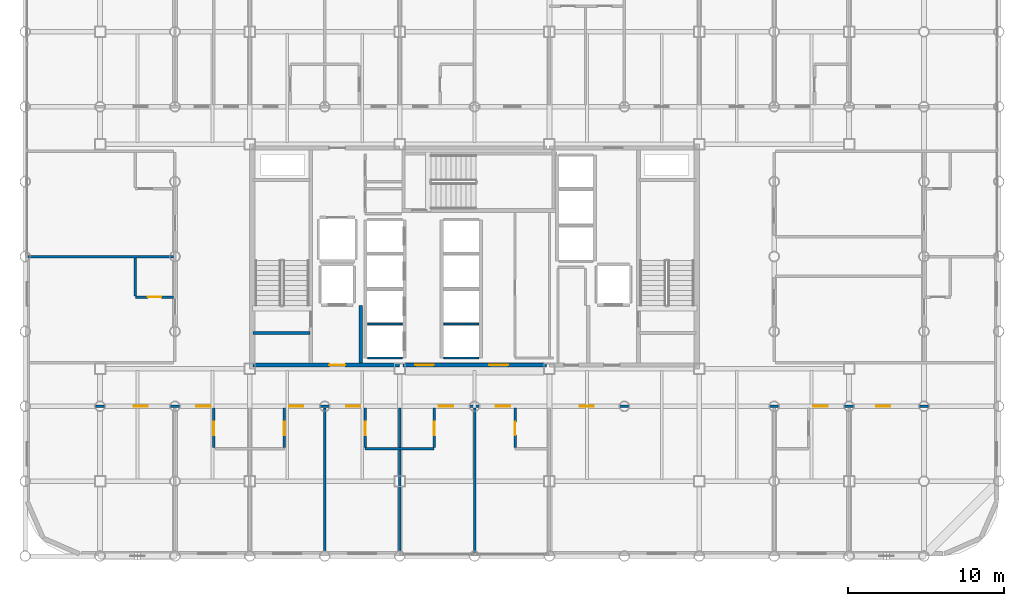
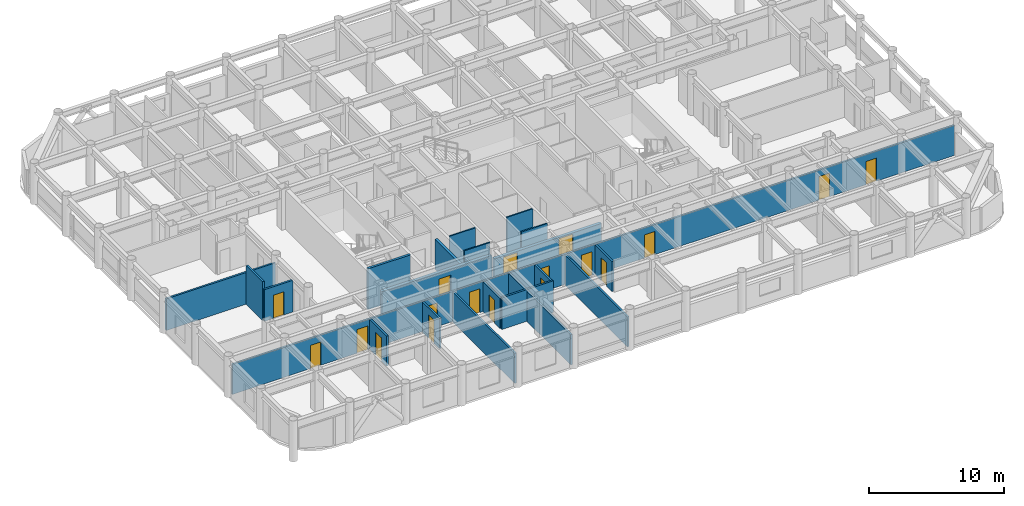
# One storey, part 17 of 22: 21 walls, 18 doors, 18 openings.
"""IFC4 building model written with IfcOpenShell, lengths in metres."""

from ifc_helpers import new_model, si_unit, direction, frame, frame_2d, origin, place, context, subcontext, project, spatial, rectangle, extrude, material, layer, layer_set, type_object, element, fill, save


model = new_model("IFC4")

# Units and contexts
model_context = context("Model", 3, precision=1e-05, world=origin(), true_north=direction((0.0, 1.0)))
body_context = subcontext(model_context, "Body", "Model", "MODEL_VIEW")
ifc_project = project(units=[si_unit("LENGTHUNIT", "METRE"), si_unit("AREAUNIT", "SQUARE_METRE"), si_unit("VOLUMEUNIT", "CUBIC_METRE"), si_unit("PLANEANGLEUNIT", "RADIAN"), si_unit("MASSUNIT", "GRAM", prefix="KILO")], contexts=[model_context])

# Site, building, storey
site_placement = place(None, origin())
site = spatial("IfcSite", under=ifc_project, at=site_placement, CompositionType="ELEMENT")
building_placement = place(site_placement, origin())
building = spatial("IfcBuilding", under=site, at=building_placement, Name="Kallvorn Hotel Tower", CompositionType="ELEMENT")
storey_placement = place(building_placement, frame((0.0, 0.0, 110.0)))
storey = spatial("IfcBuildingStorey", under=building, at=storey_placement, Name="L26", CompositionType="ELEMENT", Elevation=110.0)

# Wall
ifc_material_1 = material(Name="Fire-rated double-layer acoustic gypsum drywall EI 60")
ifc_layer_1 = layer(ifc_material_1, 0.159912109375)
ifc_layer_set_1 = layer_set([ifc_layer_1], Name="WL_DEMISE_160")
wall_type_1 = type_object("IfcWallType", Name="WL_DEMISE_160", PredefinedType="PARTITIONING", material=ifc_layer_set_1)
wall_1_placement = place(storey_placement, frame((-7.010009765625, -12.320068359375, 0.0), z_axis=(0.0, 0.0, 1.0), x_axis=(1.0, 0.0, 0.0)))
element("IfcWall", 1, at=wall_1_placement, inside=storey, type_object=wall_type_1, Name="L26 Suite 2607 Superior Twin Room Partition", PredefinedType="PARTITIONING", context=body_context, shape_type="SweptSolid", body=[
    extrude(rectangle(XDim=4.419921875, YDim=0.159912109375, at=frame_2d((2.2099609375, 0.0))), origin(), (0.0, 0.0, 1.0), 2.8701171875),
])

# Wall, openings, doors
wall_2_placement = place(storey_placement, frame((-28.510009765625, -9.60009765625, 0.0), z_axis=(0.0, 0.0, 1.0), x_axis=(1.0, 0.0, 0.0)))
wall_2 = element("IfcWall", 2, at=wall_2_placement, inside=storey, type_object=wall_type_1, Name="L26 Suite 2605 Superior Twin Room Partition", PredefinedType="PARTITIONING", context=body_context, shape_type="SweptSolid", body=[
    extrude(rectangle(XDim=61.820068359375, YDim=0.159912109375, at=frame_2d((30.91015625, 0.0))), origin(), (0.0, 0.0, 1.0), 2.719970703125),
])
opening_1_placement = place(wall_2_placement, frame((6.679443359375, 0.0, 0.0)))
opening_1 = element("IfcOpeningElement", 3, at=opening_1_placement, cuts=wall_2, Name="Opening SVD1", PredefinedType="OPENING", context=body_context, shape_type="SweptSolid", body=[
    extrude(rectangle(XDim=0.89990234375, YDim=2.10009765625, at=frame_2d((0.449951171875, 1.050048828125))), frame((0.0, 0.094970703125, 0.0), z_axis=(0.0, -1.0, 0.0), x_axis=(1.0, 0.0, 0.0)), (0.0, 0.0, 1.0), 0.18994140625),
])
opening_2_placement = place(wall_2_placement, frame((54.240478515625, 0.0, 0.0)))
opening_2 = element("IfcOpeningElement", 4, at=opening_2_placement, cuts=wall_2, Name="Opening SVD1", PredefinedType="OPENING", context=body_context, shape_type="SweptSolid", body=[
    extrude(rectangle(XDim=0.89990234375, YDim=2.10009765625, at=frame_2d((0.449951171875, 1.050048828125))), frame((0.0, 0.094970703125, 0.0), z_axis=(0.0, -1.0, 0.0), x_axis=(1.0, 0.0, 0.0)), (0.0, 0.0, 1.0), 0.18994140625),
])
opening_3_placement = place(wall_2_placement, frame((10.679931640625, 0.0, 0.0)))
opening_3 = element("IfcOpeningElement", 5, at=opening_3_placement, cuts=wall_2, Name="Opening GD1", PredefinedType="OPENING", context=body_context, shape_type="SweptSolid", body=[
    extrude(rectangle(XDim=0.919921875, YDim=2.14990234375, at=frame_2d((0.4599609375, 1.074951171875))), frame((0.0, 0.094970703125, 0.0), z_axis=(0.0, -1.0, 0.0), x_axis=(1.0, 0.0, 0.0)), (0.0, 0.0, 1.0), 0.18994140625),
])
opening_4_placement = place(wall_2_placement, frame((16.6201171875, 0.0, 0.0)))
opening_4 = element("IfcOpeningElement", 6, at=opening_4_placement, cuts=wall_2, Name="Opening GD1", PredefinedType="OPENING", context=body_context, shape_type="SweptSolid", body=[
    extrude(rectangle(XDim=0.919921875, YDim=2.14990234375, at=frame_2d((0.4599609375, 1.074951171875))), frame((0.0, 0.094970703125, 0.0), z_axis=(0.0, -1.0, 0.0), x_axis=(1.0, 0.0, 0.0)), (0.0, 0.0, 1.0), 0.18994140625),
])
opening_5_placement = place(wall_2_placement, frame((20.280029296875, 0.0, 0.0)))
opening_5 = element("IfcOpeningElement", 7, at=opening_5_placement, cuts=wall_2, Name="Opening GD1", PredefinedType="OPENING", context=body_context, shape_type="SweptSolid", body=[
    extrude(rectangle(XDim=0.919921875, YDim=2.14990234375, at=frame_2d((0.4599609375, 1.074951171875))), frame((0.0, 0.094970703125, 0.0), z_axis=(0.0, -1.0, 0.0), x_axis=(1.0, 0.0, 0.0)), (0.0, 0.0, 1.0), 0.18994140625),
])
opening_6_placement = place(wall_2_placement, frame((26.219970703125, 0.0, 0.0)))
opening_6 = element("IfcOpeningElement", 8, at=opening_6_placement, cuts=wall_2, Name="Opening GD1", PredefinedType="OPENING", context=body_context, shape_type="SweptSolid", body=[
    extrude(rectangle(XDim=0.919921875, YDim=2.14990234375, at=frame_2d((0.4599609375, 1.074951171875))), frame((0.0, 0.094970703125, 0.0), z_axis=(0.0, -1.0, 0.0), x_axis=(1.0, 0.0, 0.0)), (0.0, 0.0, 1.0), 0.18994140625),
])
opening_7_placement = place(wall_2_placement, frame((29.8798828125, 0.0, 0.0)))
opening_7 = element("IfcOpeningElement", 9, at=opening_7_placement, cuts=wall_2, Name="Opening GD1", PredefinedType="OPENING", context=body_context, shape_type="SweptSolid", body=[
    extrude(rectangle(XDim=0.919921875, YDim=2.14990234375, at=frame_2d((0.4599609375, 1.074951171875))), frame((0.0, 0.094970703125, 0.0), z_axis=(0.0, -1.0, 0.0), x_axis=(1.0, 0.0, 0.0)), (0.0, 0.0, 1.0), 0.18994140625),
])
opening_8_placement = place(wall_2_placement, frame((35.260009765625, 0.0, 0.0)))
opening_8 = element("IfcOpeningElement", 10, at=opening_8_placement, cuts=wall_2, Name="Opening SVD1", PredefinedType="OPENING", context=body_context, shape_type="SweptSolid", body=[
    extrude(rectangle(XDim=0.89990234375, YDim=2.10009765625, at=frame_2d((0.449951171875, 1.050048828125))), frame((0.0, 0.094970703125, 0.0), z_axis=(0.0, -1.0, 0.0), x_axis=(1.0, 0.0, 0.0)), (0.0, 0.0, 1.0), 0.18994140625),
])
opening_9_placement = place(wall_2_placement, frame((50.219970703125, 0.0, 0.0)))
opening_9 = element("IfcOpeningElement", 11, at=opening_9_placement, cuts=wall_2, Name="Opening GD1", PredefinedType="OPENING", context=body_context, shape_type="SweptSolid", body=[
    extrude(rectangle(XDim=0.919921875, YDim=2.14990234375, at=frame_2d((0.4599609375, 1.074951171875))), frame((0.0, 0.094970703125, 0.0), z_axis=(0.0, -1.0, 0.0), x_axis=(1.0, 0.0, 0.0)), (0.0, 0.0, 1.0), 0.18994140625),
])
ifc_material_2 = material(Name="Solid-core walnut veneer fire-rated timber door leaf", Category="wood")
door_type_1 = type_object("IfcDoorType", Name="DR_GUEST_920x2150", OperationType="NOTDEFINED", PredefinedType="DOOR", material=ifc_material_2)
door_1_placement = place(opening_3_placement, origin())
door_1 = element("IfcDoor", 12, at=door_1_placement, inside=storey, type_object=door_type_1, Name="L26 Suite 2605 Superior Twin Room Door", OperationType="SINGLE_SWING_LEFT", OverallHeight=2.14990234375, OverallWidth=0.919921875, PredefinedType="DOOR", context=body_context, shape_type="SweptSolid", body=[
    extrude(rectangle(XDim=0.919921875, YDim=2.14990234375, at=frame_2d((0.4599609375, 1.074951171875))), frame((0.0, 0.02490234375, 0.0), z_axis=(0.0, -1.0, 0.0), x_axis=(1.0, 0.0, 0.0)), (0.0, 0.0, 1.0), 0.050048828125),
])
fill(opening_3, door_1)
door_2_placement = place(opening_4_placement, origin())
door_2 = element("IfcDoor", 13, at=door_2_placement, inside=storey, type_object=door_type_1, Name="L26 Suite 2606 Superior Twin Room Door", OperationType="SINGLE_SWING_LEFT", OverallHeight=2.14990234375, OverallWidth=0.919921875, PredefinedType="DOOR", context=body_context, shape_type="SweptSolid", body=[
    extrude(rectangle(XDim=0.919921875, YDim=2.14990234375, at=frame_2d((0.4599609375, 1.074951171875))), frame((0.0, 0.02490234375, 0.0), z_axis=(0.0, -1.0, 0.0), x_axis=(1.0, 0.0, 0.0)), (0.0, 0.0, 1.0), 0.050048828125),
])
fill(opening_4, door_2)
door_3_placement = place(opening_5_placement, origin())
door_3 = element("IfcDoor", 14, at=door_3_placement, inside=storey, type_object=door_type_1, Name="L26 Suite 2607 Superior Twin Room Door", OperationType="SINGLE_SWING_RIGHT", OverallHeight=2.14990234375, OverallWidth=0.919921875, PredefinedType="DOOR", context=body_context, shape_type="SweptSolid", body=[
    extrude(rectangle(XDim=0.919921875, YDim=2.14990234375, at=frame_2d((0.4599609375, 1.074951171875))), frame((0.0, 0.02490234375, 0.0), z_axis=(0.0, -1.0, 0.0), x_axis=(1.0, 0.0, 0.0)), (0.0, 0.0, 1.0), 0.050048828125),
])
fill(opening_5, door_3)
door_4_placement = place(opening_6_placement, origin())
door_4 = element("IfcDoor", 15, at=door_4_placement, inside=storey, type_object=door_type_1, Name="L26 Suite 2608 Superior Twin Room Door", OperationType="SINGLE_SWING_RIGHT", OverallHeight=2.14990234375, OverallWidth=0.919921875, PredefinedType="DOOR", context=body_context, shape_type="SweptSolid", body=[
    extrude(rectangle(XDim=0.919921875, YDim=2.14990234375, at=frame_2d((0.4599609375, 1.074951171875))), frame((0.0, 0.02490234375, 0.0), z_axis=(0.0, -1.0, 0.0), x_axis=(1.0, 0.0, 0.0)), (0.0, 0.0, 1.0), 0.050048828125),
])
fill(opening_6, door_4)
door_5_placement = place(opening_7_placement, origin())
door_5 = element("IfcDoor", 16, at=door_5_placement, inside=storey, type_object=door_type_1, Name="L26 Suite 2609 Superior Twin Room Door", OperationType="SINGLE_SWING_LEFT", OverallHeight=2.14990234375, OverallWidth=0.919921875, PredefinedType="DOOR", context=body_context, shape_type="SweptSolid", body=[
    extrude(rectangle(XDim=0.919921875, YDim=2.14990234375, at=frame_2d((0.4599609375, 1.074951171875))), frame((0.0, 0.02490234375, 0.0), z_axis=(0.0, -1.0, 0.0), x_axis=(1.0, 0.0, 0.0)), (0.0, 0.0, 1.0), 0.050048828125),
])
fill(opening_7, door_5)
door_6_placement = place(opening_9_placement, origin())
door_6 = element("IfcDoor", 17, at=door_6_placement, inside=storey, type_object=door_type_1, Name="L26 Suite 2610 Superior Twin Room Door", OperationType="SINGLE_SWING_RIGHT", OverallHeight=2.14990234375, OverallWidth=0.919921875, PredefinedType="DOOR", context=body_context, shape_type="SweptSolid", body=[
    extrude(rectangle(XDim=0.919921875, YDim=2.14990234375, at=frame_2d((0.4599609375, 1.074951171875))), frame((0.0, 0.02490234375, 0.0), z_axis=(0.0, -1.0, 0.0), x_axis=(1.0, 0.0, 0.0)), (0.0, 0.0, 1.0), 0.050048828125),
])
fill(opening_9, door_6)
ifc_material_3 = material(Name="Galvanised painted steel fire-rated door assembly", Category="steel")
door_type_2 = type_object("IfcDoorType", Name="DR_SERV_900x2100", OperationType="NOTDEFINED", PredefinedType="DOOR", material=ifc_material_3)
door_7_placement = place(opening_1_placement, origin())
door_7 = element("IfcDoor", 18, at=door_7_placement, inside=storey, type_object=door_type_2, Name="L26 L26 South-West Botanical Bar Door", OperationType="SINGLE_SWING_RIGHT", OverallHeight=2.10009765625, OverallWidth=0.89990234375, PredefinedType="DOOR", context=body_context, shape_type="SweptSolid", body=[
    extrude(rectangle(XDim=0.89990234375, YDim=2.10009765625, at=frame_2d((0.449951171875, 1.050048828125))), frame((0.0, 0.02490234375, 0.0), z_axis=(0.0, -1.0, 0.0), x_axis=(1.0, 0.0, 0.0)), (0.0, 0.0, 1.0), 0.050048828125),
])
fill(opening_1, door_7)
door_8_placement = place(opening_2_placement, origin())
door_8 = element("IfcDoor", 19, at=door_8_placement, inside=storey, type_object=door_type_2, Name="L26 L26 South-East Sommelier Bar Door", OperationType="SINGLE_SWING_RIGHT", OverallHeight=2.10009765625, OverallWidth=0.89990234375, PredefinedType="DOOR", context=body_context, shape_type="SweptSolid", body=[
    extrude(rectangle(XDim=0.89990234375, YDim=2.10009765625, at=frame_2d((0.449951171875, 1.050048828125))), frame((0.0, 0.02490234375, 0.0), z_axis=(0.0, -1.0, 0.0), x_axis=(1.0, 0.0, 0.0)), (0.0, 0.0, 1.0), 0.050048828125),
])
fill(opening_2, door_8)
door_9_placement = place(opening_8_placement, origin())
door_9 = element("IfcDoor", 20, at=door_9_placement, inside=storey, type_object=door_type_2, Name="L26 L26 Curated Emerald Craft Retail Boutique 6 Door", OperationType="SINGLE_SWING_RIGHT", OverallHeight=2.10009765625, OverallWidth=0.89990234375, PredefinedType="DOOR", context=body_context, shape_type="SweptSolid", body=[
    extrude(rectangle(XDim=0.89990234375, YDim=2.10009765625, at=frame_2d((0.449951171875, 1.050048828125))), frame((0.0, 0.02490234375, 0.0), z_axis=(0.0, -1.0, 0.0), x_axis=(1.0, 0.0, 0.0)), (0.0, 0.0, 1.0), 0.050048828125),
])
fill(opening_8, door_9)

# Wall, opening, door
wall_3_placement = place(storey_placement, frame((-21.72998046875, -2.60009765625, 0.0), z_axis=(0.0, 0.0, 1.0), x_axis=(1.0, 0.0, 0.0)))
wall_3 = element("IfcWall", 21, at=wall_3_placement, inside=storey, type_object=wall_type_1, Name="L26 Suite 2601 W Loggia King Room Partition", PredefinedType="PARTITIONING", context=body_context, shape_type="SweptSolid", body=[
    extrude(rectangle(XDim=2.449951171875, YDim=0.159912109375, at=frame_2d((1.22509765625, 0.0))), origin(), (0.0, 0.0, 1.0), 2.8701171875),
])
opening_10_placement = place(wall_3_placement, frame((0.794921875, 0.0, 0.0)))
opening_10 = element("IfcOpeningElement", 22, at=opening_10_placement, cuts=wall_3, Name="Opening BD-I", PredefinedType="OPENING", context=body_context, shape_type="SweptSolid", body=[
    extrude(rectangle(XDim=0.860107421875, YDim=2.10009765625, at=frame_2d((0.43017578125, 1.050048828125))), frame((0.0, 0.094970703125, 0.0), z_axis=(0.0, -1.0, 0.0), x_axis=(1.0, 0.0, 0.0)), (0.0, 0.0, 1.0), 0.18994140625),
])
ifc_material_4 = material(Name="Solid-core walnut veneer fire-rated timber door leaf", Category="wood")
door_type_3 = type_object("IfcDoorType", Name="DR_BATH_860x2100", OperationType="NOTDEFINED", PredefinedType="DOOR", material=ifc_material_4)
door_10_placement = place(opening_10_placement, origin())
door_10 = element("IfcDoor", 23, at=door_10_placement, inside=storey, type_object=door_type_3, Name="L26 Suite 2601 En-Suite Bathroom Door", OperationType="SINGLE_SWING_LEFT", OverallHeight=2.10009765625, OverallWidth=0.860107421875, PredefinedType="DOOR", context=body_context, shape_type="SweptSolid", body=[
    extrude(rectangle(XDim=0.860107421875, YDim=2.10009765625, at=frame_2d((0.43017578125, 1.050048828125))), frame((0.0, 0.02490234375, 0.0), z_axis=(0.0, -1.0, 0.0), x_axis=(1.0, 0.0, 0.0)), (0.0, 0.0, 1.0), 0.050048828125),
])
fill(opening_10, door_10)

# Walls
wall_4_placement = place(storey_placement, frame((-28.6298828125, 0.0, 0.0), z_axis=(0.0, 0.0, 1.0), x_axis=(1.0, 0.0, 0.0)))
element("IfcWall", 24, at=wall_4_placement, inside=storey, type_object=wall_type_1, Name="L26 Suite 2602 W Andean Twin Room Partition", PredefinedType="PARTITIONING", context=body_context, shape_type="SweptSolid", body=[
    extrude(rectangle(XDim=9.349853515625, YDim=0.159912109375, at=frame_2d((4.6748046875, 0.0))), origin(), (0.0, 0.0, 1.0), 2.8701171875),
])
wall_5_placement = place(storey_placement, frame((-21.72998046875, -2.514892578125, 0.0), z_axis=(0.0, 0.0, 1.0), x_axis=(0.0, 1.0, 0.0)))
element("IfcWall", 25, at=wall_5_placement, inside=storey, type_object=wall_type_1, Name="L26 Suite 2601 W Loggia King Room Partition", PredefinedType="PARTITIONING", context=body_context, shape_type="SweptSolid", body=[
    extrude(rectangle(XDim=2.414794921875, YDim=0.159912109375, at=frame_2d((1.20751953125, 0.0))), origin(), (0.0, 0.0, 1.0), 3.52001953125),
])

# Wall, opening, door
wall_6_placement = place(storey_placement, frame((-16.705078125, -12.235107421875, 0.0), z_axis=(0.0, 0.0, 1.0), x_axis=(0.0, 1.0, 0.0)))
wall_6 = element("IfcWall", 26, at=wall_6_placement, inside=storey, type_object=wall_type_1, Name="L26 Suite 2605 Superior Twin Room Partition", PredefinedType="PARTITIONING", context=body_context, shape_type="SweptSolid", body=[
    extrude(rectangle(XDim=2.51513671875, YDim=0.159912109375, at=frame_2d((1.257568359375, 0.0))), origin(), (0.0, 0.0, 1.0), 2.719970703125),
])
opening_11_placement = place(wall_6_placement, frame((0.784912109375, 0.0, 0.0)))
opening_11 = element("IfcOpeningElement", 27, at=opening_11_placement, cuts=wall_6, Name="Opening BD-I", PredefinedType="OPENING", context=body_context, shape_type="SweptSolid", body=[
    extrude(rectangle(XDim=0.860107421875, YDim=2.10009765625, at=frame_2d((0.43017578125, 1.050048828125))), frame((0.0, 0.094970703125, 0.0), z_axis=(0.0, -1.0, 0.0), x_axis=(1.0, 0.0, 0.0)), (0.0, 0.0, 1.0), 0.18994140625),
])
door_11_placement = place(opening_11_placement, origin())
door_11 = element("IfcDoor", 28, at=door_11_placement, inside=storey, type_object=door_type_3, Name="L26 Suite 2605 En-Suite Bathroom Door", OperationType="SINGLE_SWING_RIGHT", OverallHeight=2.10009765625, OverallWidth=0.860107421875, PredefinedType="DOOR", context=body_context, shape_type="SweptSolid", body=[
    extrude(rectangle(XDim=0.860107421875, YDim=2.10009765625, at=frame_2d((0.43017578125, 1.050048828125))), frame((0.0, 0.02490234375, 0.0), z_axis=(0.0, -1.0, 0.0), x_axis=(1.0, 0.0, 0.0)), (0.0, 0.0, 1.0), 0.050048828125),
])
fill(opening_11, door_11)

wall_7_placement = place(storey_placement, frame((-12.18994140625, -12.235107421875, 0.0), z_axis=(0.0, 0.0, 1.0), x_axis=(0.0, 1.0, 0.0)))
wall_7 = element("IfcWall", 29, at=wall_7_placement, inside=storey, type_object=wall_type_1, Name="L26 Suite 2606 Superior Twin Room Partition", PredefinedType="PARTITIONING", context=body_context, shape_type="SweptSolid", body=[
    extrude(rectangle(XDim=2.51513671875, YDim=0.159912109375, at=frame_2d((1.257568359375, 0.0))), origin(), (0.0, 0.0, 1.0), 2.719970703125),
])
opening_12_placement = place(wall_7_placement, frame((0.784912109375, 0.0, 0.0)))
opening_12 = element("IfcOpeningElement", 30, at=opening_12_placement, cuts=wall_7, Name="Opening BD-I", PredefinedType="OPENING", context=body_context, shape_type="SweptSolid", body=[
    extrude(rectangle(XDim=0.860107421875, YDim=2.10009765625, at=frame_2d((0.43017578125, 1.050048828125))), frame((0.0, 0.094970703125, 0.0), z_axis=(0.0, -1.0, 0.0), x_axis=(1.0, 0.0, 0.0)), (0.0, 0.0, 1.0), 0.18994140625),
])
door_12_placement = place(opening_12_placement, origin())
door_12 = element("IfcDoor", 31, at=door_12_placement, inside=storey, type_object=door_type_3, Name="L26 Suite 2606 En-Suite Bathroom Door", OperationType="SINGLE_SWING_RIGHT", OverallHeight=2.10009765625, OverallWidth=0.860107421875, PredefinedType="DOOR", context=body_context, shape_type="SweptSolid", body=[
    extrude(rectangle(XDim=0.860107421875, YDim=2.10009765625, at=frame_2d((0.43017578125, 1.050048828125))), frame((0.0, 0.02490234375, 0.0), z_axis=(0.0, -1.0, 0.0), x_axis=(1.0, 0.0, 0.0)), (0.0, 0.0, 1.0), 0.050048828125),
])
fill(opening_12, door_12)

# Wall
wall_8_placement = place(storey_placement, frame((-9.60009765625, -18.909912109375, 0.0), z_axis=(0.0, 0.0, 1.0), x_axis=(0.0, 1.0, 0.0)))
element("IfcWall", 32, at=wall_8_placement, inside=storey, type_object=wall_type_1, Name="L26 Suite 2606 Superior Twin Room Partition", PredefinedType="PARTITIONING", context=body_context, shape_type="SweptSolid", body=[
    extrude(rectangle(XDim=9.18994140625, YDim=0.159912109375, at=frame_2d((4.594970703125, 0.0))), origin(), (0.0, 0.0, 1.0), 2.719970703125),
])

# Wall, opening, door
wall_9_placement = place(storey_placement, frame((-7.0048828125, -12.235107421875, 0.0), z_axis=(0.0, 0.0, 1.0), x_axis=(0.0, 1.0, 0.0)))
wall_9 = element("IfcWall", 33, at=wall_9_placement, inside=storey, type_object=wall_type_1, Name="L26 Suite 2607 Superior Twin Room Partition", PredefinedType="PARTITIONING", context=body_context, shape_type="SweptSolid", body=[
    extrude(rectangle(XDim=2.51513671875, YDim=0.159912109375, at=frame_2d((1.257568359375, 0.0))), origin(), (0.0, 0.0, 1.0), 2.719970703125),
])
opening_13_placement = place(wall_9_placement, frame((0.784912109375, 0.0, 0.0)))
opening_13 = element("IfcOpeningElement", 34, at=opening_13_placement, cuts=wall_9, Name="Opening BD-I", PredefinedType="OPENING", context=body_context, shape_type="SweptSolid", body=[
    extrude(rectangle(XDim=0.860107421875, YDim=2.10009765625, at=frame_2d((0.43017578125, 1.050048828125))), frame((0.0, 0.094970703125, 0.0), z_axis=(0.0, -1.0, 0.0), x_axis=(1.0, 0.0, 0.0)), (0.0, 0.0, 1.0), 0.18994140625),
])
door_13_placement = place(opening_13_placement, origin())
door_13 = element("IfcDoor", 35, at=door_13_placement, inside=storey, type_object=door_type_3, Name="L26 Suite 2607 En-Suite Bathroom Door", OperationType="SINGLE_SWING_LEFT", OverallHeight=2.10009765625, OverallWidth=0.860107421875, PredefinedType="DOOR", context=body_context, shape_type="SweptSolid", body=[
    extrude(rectangle(XDim=0.860107421875, YDim=2.10009765625, at=frame_2d((0.43017578125, 1.050048828125))), frame((0.0, 0.02490234375, 0.0), z_axis=(0.0, -1.0, 0.0), x_axis=(1.0, 0.0, 0.0)), (0.0, 0.0, 1.0), 0.050048828125),
])
fill(opening_13, door_13)

# Wall
wall_10_placement = place(storey_placement, frame((-4.800048828125, -18.909912109375, 0.0), z_axis=(0.0, 0.0, 1.0), x_axis=(0.0, 1.0, 0.0)))
element("IfcWall", 36, at=wall_10_placement, inside=storey, type_object=wall_type_1, Name="L26 Suite 2607 Superior Twin Room Partition", PredefinedType="PARTITIONING", context=body_context, shape_type="SweptSolid", body=[
    extrude(rectangle(XDim=9.18994140625, YDim=0.159912109375, at=frame_2d((4.594970703125, 0.0))), origin(), (0.0, 0.0, 1.0), 2.719970703125),
])

# Wall, opening, door
wall_11_placement = place(storey_placement, frame((-2.590087890625, -12.235107421875, 0.0), z_axis=(0.0, 0.0, 1.0), x_axis=(0.0, 1.0, 0.0)))
wall_11 = element("IfcWall", 37, at=wall_11_placement, inside=storey, type_object=wall_type_1, Name="L26 Suite 2608 Superior Twin Room Partition", PredefinedType="PARTITIONING", context=body_context, shape_type="SweptSolid", body=[
    extrude(rectangle(XDim=2.51513671875, YDim=0.159912109375, at=frame_2d((1.257568359375, 0.0))), origin(), (0.0, 0.0, 1.0), 2.719970703125),
])
opening_14_placement = place(wall_11_placement, frame((0.784912109375, 0.0, 0.0)))
opening_14 = element("IfcOpeningElement", 38, at=opening_14_placement, cuts=wall_11, Name="Opening BD-I", PredefinedType="OPENING", context=body_context, shape_type="SweptSolid", body=[
    extrude(rectangle(XDim=0.860107421875, YDim=2.10009765625, at=frame_2d((0.43017578125, 1.050048828125))), frame((0.0, 0.094970703125, 0.0), z_axis=(0.0, -1.0, 0.0), x_axis=(1.0, 0.0, 0.0)), (0.0, 0.0, 1.0), 0.18994140625),
])
door_14_placement = place(opening_14_placement, origin())
door_14 = element("IfcDoor", 39, at=door_14_placement, inside=storey, type_object=door_type_3, Name="L26 Suite 2608 En-Suite Bathroom Door", OperationType="SINGLE_SWING_RIGHT", OverallHeight=2.10009765625, OverallWidth=0.860107421875, PredefinedType="DOOR", context=body_context, shape_type="SweptSolid", body=[
    extrude(rectangle(XDim=0.860107421875, YDim=2.10009765625, at=frame_2d((0.43017578125, 1.050048828125))), frame((0.0, 0.02490234375, 0.0), z_axis=(0.0, -1.0, 0.0), x_axis=(1.0, 0.0, 0.0)), (0.0, 0.0, 1.0), 0.050048828125),
])
fill(opening_14, door_14)

# Wall
wall_12_placement = place(storey_placement, frame((0.0, -18.9951171875, 0.0), z_axis=(0.0, 0.0, 1.0), x_axis=(0.0, 1.0, 0.0)))
element("IfcWall", 40, at=wall_12_placement, inside=storey, type_object=wall_type_1, Name="L26 Suite 2608 Superior Twin Room Partition", PredefinedType="PARTITIONING", context=body_context, shape_type="SweptSolid", body=[
    extrude(rectangle(XDim=9.275146484375, YDim=0.159912109375, at=frame_2d((4.6376953125, 0.0))), origin(), (0.0, 0.0, 1.0), 2.719970703125),
])

# Wall, opening, door
wall_13_placement = place(storey_placement, frame((2.59326171875, -12.235107421875, 0.0), z_axis=(0.0, 0.0, 1.0), x_axis=(0.0, 1.0, 0.0)))
wall_13 = element("IfcWall", 41, at=wall_13_placement, inside=storey, type_object=wall_type_1, Name="L26 Suite 2609 Superior Twin Room Partition", PredefinedType="PARTITIONING", context=body_context, shape_type="SweptSolid", body=[
    extrude(rectangle(XDim=2.51513671875, YDim=0.159912109375, at=frame_2d((1.257568359375, 0.0))), origin(), (0.0, 0.0, 1.0), 2.719970703125),
])
opening_15_placement = place(wall_13_placement, frame((0.784912109375, 0.0, 0.0)))
opening_15 = element("IfcOpeningElement", 42, at=opening_15_placement, cuts=wall_13, Name="Opening BD-I", PredefinedType="OPENING", context=body_context, shape_type="SweptSolid", body=[
    extrude(rectangle(XDim=0.860107421875, YDim=2.10009765625, at=frame_2d((0.43017578125, 1.050048828125))), frame((0.0, 0.094970703125, 0.0), z_axis=(0.0, -1.0, 0.0), x_axis=(1.0, 0.0, 0.0)), (0.0, 0.0, 1.0), 0.18994140625),
])
door_15_placement = place(opening_15_placement, origin())
door_15 = element("IfcDoor", 43, at=door_15_placement, inside=storey, type_object=door_type_3, Name="L26 Suite 2609 En-Suite Bathroom Door", OperationType="SINGLE_SWING_RIGHT", OverallHeight=2.10009765625, OverallWidth=0.860107421875, PredefinedType="DOOR", context=body_context, shape_type="SweptSolid", body=[
    extrude(rectangle(XDim=0.860107421875, YDim=2.10009765625, at=frame_2d((0.43017578125, 1.050048828125))), frame((0.0, 0.02490234375, 0.0), z_axis=(0.0, -1.0, 0.0), x_axis=(1.0, 0.0, 0.0)), (0.0, 0.0, 1.0), 0.050048828125),
])
fill(opening_15, door_15)

# Walls
ifc_material_5 = material(Name="Concrete C40/50", Category="concrete")
ifc_layer_2 = layer(ifc_material_5, 0.219970703125)
ifc_layer_set_2 = layer_set([ifc_layer_2], Name="WL_FFL_220")
wall_type_2 = type_object("IfcWallType", Name="WL_FFL_220", PredefinedType="SOLIDWALL", material=ifc_layer_set_2)
wall_14_placement = place(storey_placement, frame((-7.300048828125, -6.820068359375, 0.0), z_axis=(0.0, 0.0, 1.0), x_axis=(0.0, 1.0, 0.0)))
element("IfcWall", 44, at=wall_14_placement, inside=storey, type_object=wall_type_2, Name="L26 Firefighting Lobby West Divider Wall", PredefinedType="SOLIDWALL", context=body_context, shape_type="SweptSolid", body=[
    extrude(rectangle(XDim=3.670166015625, YDim=0.219970703125, at=frame_2d((1.8349609375, 0.0))), origin(), (0.0, 0.0, 1.0), 2.719970703125),
])
ifc_material_6 = material(Name="Concrete C40/50", Category="concrete")
ifc_layer_3 = layer(ifc_material_6, 0.199951171875)
ifc_layer_set_3 = layer_set([ifc_layer_3], Name="WL_HOIST_200")
wall_type_3 = type_object("IfcWallType", Name="WL_HOIST_200", PredefinedType="SOLIDWALL", material=ifc_layer_set_3)
wall_15_placement = place(storey_placement, frame((-14.199951171875, -4.89990234375, -0.179931640625), z_axis=(0.0, 0.0, 1.0), x_axis=(1.0, 0.0, 0.0)))
element("IfcWall", 45, at=wall_15_placement, inside=storey, type_object=wall_type_3, Name="L26 Stair ST1 South Wall", PredefinedType="SOLIDWALL", context=body_context, shape_type="SweptSolid", body=[
    extrude(rectangle(XDim=3.64990234375, YDim=0.199951171875, at=frame_2d((1.824951171875, 0.0))), origin(), (0.0, 0.0, 1.0), 3.699951171875),
])
ifc_material_7 = material(Name="Fire-rated double-layer acoustic gypsum drywall EI 60")
ifc_layer_4 = layer(ifc_material_7, 0.1201171875)
ifc_layer_set_4 = layer_set([ifc_layer_4], Name="WL_INT_120")
wall_type_4 = type_object("IfcWallType", Name="WL_INT_120", PredefinedType="PARTITIONING", material=ifc_layer_set_4)
for number, where, z_axis, x_axis, name in (
    (46, (-6.860107421875, -6.5, 0.0), (0.0, 0.0, 1.0), (1.0, 0.0, 0.0), "L26 Lift Bank B1 South Closure Wall"),
    (47, (-6.860107421875, -4.324951171875, 0.0), (0.0, 0.0, 1.0), (1.0, 0.0, 0.0), "L26 PL-01 Hoistway Divider"),
):
    element("IfcWall", number, at=place(storey_placement, frame(where, z_axis=z_axis, x_axis=x_axis)), inside=storey, type_object=wall_type_4, Name=name, PredefinedType="PARTITIONING", context=body_context, shape_type="SweptSolid", body=[
        extrude(rectangle(XDim=2.22021484375, YDim=0.1201171875, at=frame_2d((1.110107421875, 0.0))), origin(), (0.0, 0.0, 1.0), 3.52001953125),
    ])
for number, where, z_axis, x_axis, name in (
    (48, (-1.9599609375, -6.5, 0.0), (0.0, 0.0, 1.0), (1.0, 0.0, 0.0), "L26 Lift Bank B2 South Closure Wall"),
    (49, (-1.9599609375, -4.324951171875, 0.0), (0.0, 0.0, 1.0), (1.0, 0.0, 0.0), "L26 PL-05 Hoistway Divider"),
):
    element("IfcWall", number, at=place(storey_placement, frame(where, z_axis=z_axis, x_axis=x_axis)), inside=storey, type_object=wall_type_4, Name=name, PredefinedType="PARTITIONING", context=body_context, shape_type="SweptSolid", body=[
        extrude(rectangle(XDim=2.219970703125, YDim=0.1201171875, at=frame_2d((1.10986328125, 0.0))), origin(), (0.0, 0.0, 1.0), 3.52001953125),
    ])

# Wall, opening, door
ifc_material_8 = material(Name="Concrete C40/50", Category="concrete")
ifc_layer_5 = layer(ifc_material_8, 0.25)
ifc_layer_set_5 = layer_set([ifc_layer_5], Name="WL_SHAFT_250")
wall_type_5 = type_object("IfcWallType", Name="WL_SHAFT_250", PredefinedType="SOLIDWALL", material=ifc_layer_set_5)
wall_16_placement = place(storey_placement, frame((-14.199951171875, -6.949951171875, 0.0), z_axis=(0.0, 0.0, 1.0), x_axis=(1.0, 0.0, 0.0)))
wall_16 = element("IfcWall", 50, at=wall_16_placement, inside=storey, type_object=wall_type_5, Name="L26 Core South-West Wall", PredefinedType="SOLIDWALL", context=body_context, shape_type="SweptSolid", body=[
    extrude(rectangle(XDim=9.39990234375, YDim=0.25, at=frame_2d((4.699951171875, 0.0))), origin(), (0.0, 0.0, 1.0), 2.719970703125),
])
opening_16_placement = place(wall_16_placement, frame((4.89990234375, 0.0, 0.0)))
opening_16 = element("IfcOpeningElement", 51, at=opening_16_placement, cuts=wall_16, Name="Opening FD1", PredefinedType="OPENING", context=body_context, shape_type="SweptSolid", body=[
    extrude(rectangle(XDim=1.0, YDim=2.14990234375, at=frame_2d((0.5, 1.074951171875))), frame((0.0, 0.139892578125, 0.0), z_axis=(0.0, -1.0, 0.0), x_axis=(1.0, 0.0, 0.0)), (0.0, 0.0, 1.0), 0.280029296875),
])
ifc_material_9 = material(Name="Galvanised painted steel fire-rated door assembly", Category="steel")
door_type_4 = type_object("IfcDoorType", Name="DR_FFL_1000x2150", OperationType="NOTDEFINED", PredefinedType="DOOR", material=ifc_material_9)
door_16_placement = place(opening_16_placement, origin())
door_16 = element("IfcDoor", 52, at=door_16_placement, inside=storey, type_object=door_type_4, Name="L26 Firefighting Lobby West Door", OperationType="SINGLE_SWING_LEFT", OverallHeight=2.14990234375, OverallWidth=1.0, PredefinedType="DOOR", context=body_context, shape_type="SweptSolid", body=[
    extrude(rectangle(XDim=1.0, YDim=2.14990234375, at=frame_2d((0.5, 1.074951171875))), frame((0.0, 0.02490234375, 0.0), z_axis=(0.0, -1.0, 0.0), x_axis=(1.0, 0.0, 0.0)), (0.0, 0.0, 1.0), 0.050048828125),
])
fill(opening_16, door_16)

# Wall, openings, doors
wall_17_placement = place(storey_placement, frame((-4.60009765625, -6.949951171875, 0.0), z_axis=(0.0, 0.0, 1.0), x_axis=(1.0, 0.0, 0.0)))
wall_17 = element("IfcWall", 53, at=wall_17_placement, inside=storey, type_object=wall_type_5, Name="L26 Core South-Central Wall", PredefinedType="SOLIDWALL", context=body_context, shape_type="SweptSolid", body=[
    extrude(rectangle(XDim=9.2001953125, YDim=0.25, at=frame_2d((4.60009765625, 0.0))), origin(), (0.0, 0.0, 1.0), 2.320068359375),
])
opening_17_placement = place(wall_17_placement, frame((0.800048828125, 0.0, 0.0)))
opening_17 = element("IfcOpeningElement", 54, at=opening_17_placement, cuts=wall_17, Name="Opening FD2", PredefinedType="OPENING", context=body_context, shape_type="SweptSolid", body=[
    extrude(rectangle(XDim=1.199951171875, YDim=2.199951171875, at=frame_2d((0.60009765625, 1.10009765625))), frame((0.0, 0.139892578125, 0.0), z_axis=(0.0, -1.0, 0.0), x_axis=(1.0, 0.0, 0.0)), (0.0, 0.0, 1.0), 0.280029296875),
])
opening_18_placement = place(wall_17_placement, frame((5.550048828125, 0.0, 0.0)))
opening_18 = element("IfcOpeningElement", 55, at=opening_18_placement, cuts=wall_17, Name="Opening FD2", PredefinedType="OPENING", context=body_context, shape_type="SweptSolid", body=[
    extrude(rectangle(XDim=1.199951171875, YDim=2.199951171875, at=frame_2d((0.60009765625, 1.10009765625))), frame((0.0, 0.139892578125, 0.0), z_axis=(0.0, -1.0, 0.0), x_axis=(1.0, 0.0, 0.0)), (0.0, 0.0, 1.0), 0.280029296875),
])
ifc_material_10 = material(Name="Galvanised painted steel fire-rated door assembly", Category="steel")
door_type_5 = type_object("IfcDoorType", Name="DR_LOBBY_1200x2200", OperationType="DOUBLE_DOOR_SINGLE_SWING", PredefinedType="DOOR", material=ifc_material_10)
door_17_placement = place(opening_17_placement, origin())
door_17 = element("IfcDoor", 56, at=door_17_placement, inside=storey, type_object=door_type_5, Name="L26 West Passenger Lift Lobby Door", OperationType="DOUBLE_DOOR_SINGLE_SWING", OverallHeight=2.199951171875, OverallWidth=1.199951171875, PredefinedType="DOOR", context=body_context, shape_type="SweptSolid", body=[
    extrude(rectangle(XDim=1.199951171875, YDim=2.199951171875, at=frame_2d((0.60009765625, 1.10009765625))), frame((0.0, 0.02490234375, 0.0), z_axis=(0.0, -1.0, 0.0), x_axis=(1.0, 0.0, 0.0)), (0.0, 0.0, 1.0), 0.050048828125),
])
fill(opening_17, door_17)
door_18_placement = place(opening_18_placement, origin())
door_18 = element("IfcDoor", 57, at=door_18_placement, inside=storey, type_object=door_type_5, Name="L26 East Passenger Lift Lobby Door", OperationType="DOUBLE_DOOR_SINGLE_SWING", OverallHeight=2.199951171875, OverallWidth=1.199951171875, PredefinedType="DOOR", context=body_context, shape_type="SweptSolid", body=[
    extrude(rectangle(XDim=1.199951171875, YDim=2.199951171875, at=frame_2d((0.60009765625, 1.10009765625))), frame((0.0, 0.02490234375, 0.0), z_axis=(0.0, -1.0, 0.0), x_axis=(1.0, 0.0, 0.0)), (0.0, 0.0, 1.0), 0.050048828125),
])
fill(opening_18, door_18)

save(model, "model.ifc")
